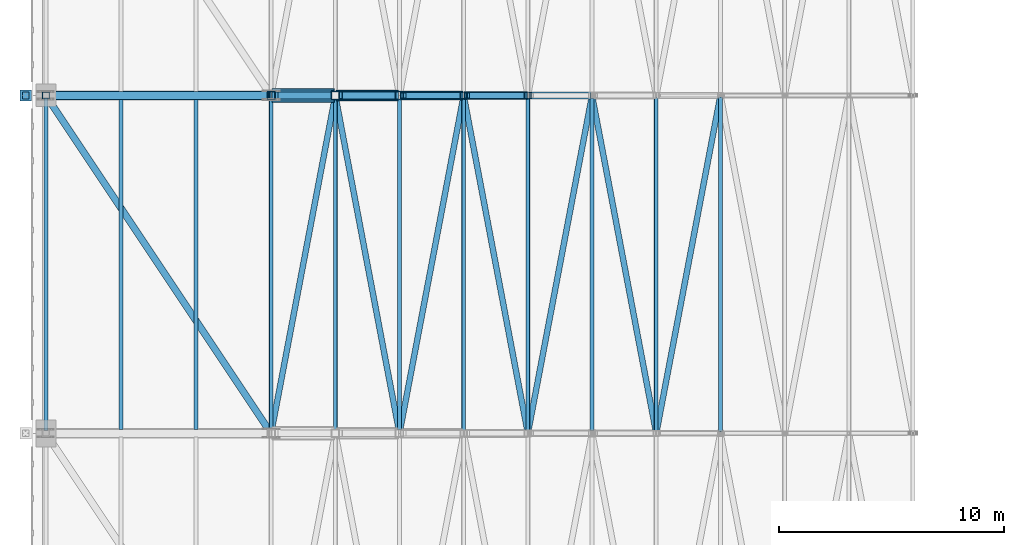
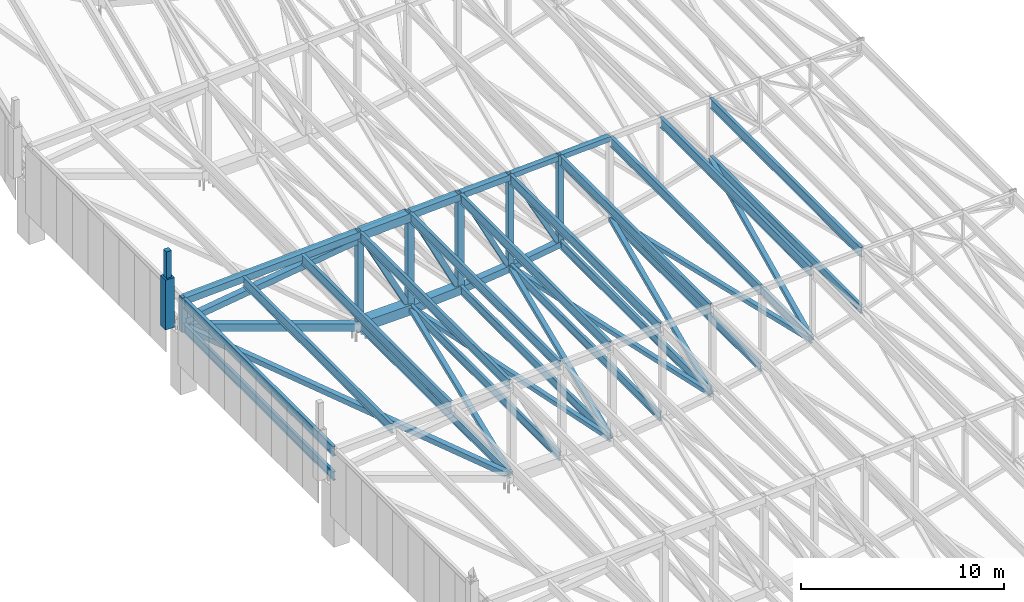
# One storey, part 62 of 278: 35 members, 17 beams.
"""IFC4 building model written with IfcOpenShell, lengths in metres."""

from ifc_helpers import new_model, si_unit, direction, frame, origin, origin_2d, place, context, subcontext, project, spatial, rectangle, hollow_rectangle, i_section, extrude, material, material_profile, profile_set, type_object, element, save


model = new_model("IFC4")

# Units and contexts
model_context = context("Model", 3, precision=1e-05, world=origin(), true_north=direction((0.0, 1.0)))
body_context = subcontext(model_context, "Body", "Model", "MODEL_VIEW")
ifc_project = project(units=[si_unit("LENGTHUNIT", "METRE"), si_unit("AREAUNIT", "SQUARE_METRE"), si_unit("VOLUMEUNIT", "CUBIC_METRE"), si_unit("PLANEANGLEUNIT", "RADIAN"), si_unit("MASSUNIT", "GRAM", prefix="KILO")], contexts=[model_context])

# Site, building, storey
site_placement = place(None, origin())
site = spatial("IfcSite", under=ifc_project, at=site_placement, CompositionType="ELEMENT")
building_placement = place(site_placement, origin())
building = spatial("IfcBuilding", under=site, at=building_placement, Name="Ogive Plaza Stadium", CompositionType="ELEMENT")
storey_placement = place(building_placement, frame((0.0, 0.0, 29.0)))
storey = spatial("IfcBuildingStorey", under=building, at=storey_placement, Name="Roof", CompositionType="ELEMENT", Elevation=29.0)

# Members
ifc_material_1 = material(Name="Concrete C45/55 precast", Category="concrete")
ifc_material_profile_1 = material_profile(ifc_material_1, rectangle(XDim=0.5, YDim=0.5, at=origin_2d()), Name="RC 500x500")
ifc_profile_set_1 = profile_set([ifc_material_profile_1], Name="Concrete C45/55 precast")
member_type_1 = type_object("IfcMemberType", Name="Precast pinnacle 500x500", PredefinedType="POST", material=ifc_profile_set_1)
member_1_placement = place(storey_placement, frame((-84.89990234375, 37.5, 4.0), z_axis=(0.0, 0.0, 1.0), x_axis=(0.0, -1.0, 0.0)))
element("IfcMember", 1, at=member_1_placement, inside=storey, type_object=member_type_1, Name="PINNACLE R27", PredefinedType="POST", context=body_context, shape_type="SweptSolid", body=[
    extrude(rectangle(XDim=0.5, YDim=0.5, at=origin_2d()), origin(), (0.0, 0.0, 1.0), 3.0),
])
ifc_material_2 = material(Name="Concrete C45/55 precast", Category="concrete")
ifc_material_profile_2 = material_profile(ifc_material_2, rectangle(XDim=0.300048828125, YDim=0.300048828125, at=origin_2d()), Name="RC 300x300")
ifc_profile_set_2 = profile_set([ifc_material_profile_2], Name="Concrete C45/55 precast")
member_type_2 = type_object("IfcMemberType", Name="Precast spire 300x300", PredefinedType="MEMBER", material=ifc_profile_set_2)
member_2_placement = place(storey_placement, frame((-84.89990234375, 37.5, 7.0), z_axis=(0.0, 0.0, 1.0), x_axis=(0.0, -1.0, 0.0)))
element("IfcMember", 2, at=member_2_placement, inside=storey, type_object=member_type_2, Name="SPIRE R27", PredefinedType="MEMBER", context=body_context, shape_type="SweptSolid", body=[
    extrude(rectangle(XDim=0.300048828125, YDim=0.300048828125, at=origin_2d()), origin(), (0.0, 0.0, 1.0), 1.60009765625),
])
ifc_material_3 = material(Name="Steel ASTM A500 Grade C", Category="steel")
ifc_material_profile_3 = material_profile(ifc_material_3, hollow_rectangle(XDim=0.25390625, YDim=0.25390625, WallThickness=0.0087890625, at=origin_2d()), Name="HSS10X10X3/8")
ifc_profile_set_3 = profile_set([ifc_material_profile_3], Name="Steel ASTM A500 Grade C")
member_type_3 = type_object("IfcMemberType", Name="Roof plan brace HSS10X10X3/8", PredefinedType="BRACE", material=ifc_profile_set_3)
member_3_placement = place(storey_placement, frame((-54.068115234375, 37.404052734375, 3.27001953125), z_axis=(-0.186406461707, -0.981044003163, -0.052965034622), x_axis=(0.982422964001, -0.186668475654, 0.0)))
element("IfcMember", 3, at=member_3_placement, inside=storey, type_object=member_type_3, Name="ROOF BRACE B26 4", PredefinedType="BRACE", context=body_context, shape_type="SweptSolid", body=[
    extrude(hollow_rectangle(XDim=0.25390625, YDim=0.25390625, WallThickness=0.0087890625, at=origin_2d()), origin(), (0.0, 0.0, 1.0), 15.068359375),
])
member_4_placement = place(storey_placement, frame((-56.923095703125, 22.621337890625, 2.459716796875), z_axis=(-0.186461324063, 0.981373677857, -0.046237204039), x_axis=(-0.982424391989, -0.186660960097, 0.0)))
element("IfcMember", 4, at=member_4_placement, inside=storey, type_object=member_type_3, Name="ROOF BRACE B26 5", PredefinedType="BRACE", context=body_context, shape_type="SweptSolid", body=[
    extrude(hollow_rectangle(XDim=0.25390625, YDim=0.25390625, WallThickness=0.0087890625, at=origin_2d()), origin(), (0.0, 0.0, 1.0), 15.011474609375),
])
member_5_placement = place(storey_placement, frame((-59.77783203125, 37.353271484375, 1.753173828125), z_axis=(-0.186534960176, -0.981781820104, -0.036182403809), x_axis=(0.982425109661, -0.186657182843, 0.0)))
element("IfcMember", 5, at=member_5_placement, inside=storey, type_object=member_type_3, Name="ROOF BRACE B26 6", PredefinedType="BRACE", context=body_context, shape_type="SweptSolid", body=[
    extrude(hollow_rectangle(XDim=0.25390625, YDim=0.25390625, WallThickness=0.0087890625, at=origin_2d()), origin(), (0.0, 0.0, 1.0), 14.9794921875),
])
member_6_placement = place(storey_placement, frame((-62.6279296875, 22.646728515625, 1.20166015625), z_axis=(-0.186585145076, 0.982045956233, -0.027779911508), x_axis=(-0.982425109661, -0.186657182843, 0.0)))
element("IfcMember", 6, at=member_6_placement, inside=storey, type_object=member_type_3, Name="ROOF BRACE B26 7", PredefinedType="BRACE", context=body_context, shape_type="SweptSolid", body=[
    extrude(hollow_rectangle(XDim=0.25390625, YDim=0.25390625, WallThickness=0.0087890625, at=origin_2d()), origin(), (0.0, 0.0, 1.0), 14.975341796875),
])
member_7_placement = place(storey_placement, frame((-65.477783203125, 37.353271484375, 0.77880859375), z_axis=(-0.186639895054, -0.982268812283, -0.017706778071), x_axis=(0.982422833867, -0.186669160538, 0.0)))
element("IfcMember", 7, at=member_7_placement, inside=storey, type_object=member_type_3, Name="ROOF BRACE B26 8", PredefinedType="BRACE", context=body_context, shape_type="SweptSolid", body=[
    extrude(hollow_rectangle(XDim=0.25390625, YDim=0.25390625, WallThickness=0.0087890625, at=origin_2d()), origin(), (0.0, 0.0, 1.0), 14.946044921875),
])
member_8_placement = place(storey_placement, frame((-68.332763671875, 22.672119140625, 0.50927734375), z_axis=(-0.186657320186, 0.982381109131, -0.009295226886), x_axis=(-0.982423551356, -0.186665384421, 0.0)))
element("IfcMember", 8, at=member_8_placement, inside=storey, type_object=member_type_3, Name="ROOF BRACE B26 9", PredefinedType="BRACE", context=body_context, shape_type="SweptSolid", body=[
    extrude(hollow_rectangle(XDim=0.25390625, YDim=0.25390625, WallThickness=0.0087890625, at=origin_2d()), origin(), (0.0, 0.0, 1.0), 14.918701171875),
])
member_9_placement = place(storey_placement, frame((-71.1826171875, 37.327880859375, 0.368408203125), z_axis=(-0.186663720517, -0.982414794197, -0.004222272479), x_axis=(0.982423551356, -0.186665384421, 0.0)))
element("IfcMember", 9, at=member_9_placement, inside=storey, type_object=member_type_3, Name="ROOF BRACE B26 10", PredefinedType="BRACE", context=body_context, shape_type="SweptSolid", body=[
    extrude(hollow_rectangle(XDim=0.25390625, YDim=0.25390625, WallThickness=0.0087890625, at=origin_2d()), origin(), (0.0, 0.0, 1.0), 14.918212890625),
])
ifc_material_4 = material(Name="Steel ASTM A500 Grade C", Category="steel")
ifc_material_profile_4 = material_profile(ifc_material_4, hollow_rectangle(XDim=0.3046875, YDim=0.3046875, WallThickness=0.0087890625, at=origin_2d()), Name="HSS12X12X3/8")
ifc_profile_set_4 = profile_set([ifc_material_profile_4], Name="Steel ASTM A500 Grade C")
member_type_4 = type_object("IfcMemberType", Name="Roof plan brace HSS12X12X3/8", PredefinedType="BRACE", material=ifc_profile_set_4)
member_10_placement = place(storey_placement, frame((-74.158203125, 22.7373046875, 0.358642578125), z_axis=(-0.545096233751, 0.817651210116, 0.185247387419), x_axis=(-0.832052442118, -0.554696974542, 0.0)))
element("IfcMember", 10, at=member_10_placement, inside=storey, type_object=member_type_4, Name="ROOF BRACE B26 11", PredefinedType="BRACE", context=body_context, shape_type="SweptSolid", body=[
    extrude(hollow_rectangle(XDim=0.3046875, YDim=0.3046875, WallThickness=0.0087890625, at=origin_2d()), origin(), (0.0, 0.0, 1.0), 17.7958984375),
])
ifc_material_5 = material(Name="Steel ASTM A992 Grade 50", Category="steel")
ifc_material_profile_5 = material_profile(ifc_material_5, i_section(OverallWidth=0.1650390625, OverallDepth=0.524658203125, WebThickness=0.0087890625, FlangeThickness=0.011474609375, at=origin_2d()), Name="W21X44")
ifc_profile_set_5 = profile_set([ifc_material_profile_5], Name="Steel ASTM A992 Grade 50")
member_type_5 = type_object("IfcMemberType", Name="Roof plan strut W21X44", PredefinedType="STRUT", material=ifc_profile_set_5)
member_11_placement = place(storey_placement, frame((-54.050048828125, 22.571533203125, 3.275146484375), z_axis=(0.0, 1.0, 0.0), x_axis=(-1.0, 0.0, 0.0)))
element("IfcMember", 11, at=member_11_placement, inside=storey, type_object=member_type_5, Name="ROOF STRUT B26 3", PredefinedType="STRUT", context=body_context, shape_type="SweptSolid", body=[
    extrude(i_section(OverallWidth=0.1650390625, OverallDepth=0.524658203125, WebThickness=0.0087890625, FlangeThickness=0.011474609375, at=origin_2d()), origin(), (0.0, 0.0, 1.0), 14.85693359375),
])
member_12_placement = place(storey_placement, frame((-56.89990234375, 22.596923828125, 2.46533203125), z_axis=(0.0, 1.0, 0.0), x_axis=(-1.0, 0.0, 0.0)))
element("IfcMember", 12, at=member_12_placement, inside=storey, type_object=member_type_5, Name="ROOF STRUT B26 4", PredefinedType="STRUT", context=body_context, shape_type="SweptSolid", body=[
    extrude(i_section(OverallWidth=0.1650390625, OverallDepth=0.524658203125, WebThickness=0.0087890625, FlangeThickness=0.011474609375, at=origin_2d()), origin(), (0.0, 0.0, 1.0), 14.80615234375),
])
for number, where, z_axis, x_axis, name in (
    (13, (-59.75, 22.622314453125, 1.758544921875), (0.0, 1.0, 0.0), (-1.0, 0.0, 0.0), "ROOF STRUT B26 5"),
    (14, (-62.60009765625, 22.622314453125, 1.205810546875), (0.0, 1.0, 0.0), (-1.0, 0.0, 0.0), "ROOF STRUT B26 6"),
    (15, (-65.449951171875, 22.622314453125, 0.781494140625), (0.0, 1.0, 0.0), (-1.0, 0.0, 0.0), "ROOF STRUT B26 7"),
):
    element("IfcMember", number, at=place(storey_placement, frame(where, z_axis=z_axis, x_axis=x_axis)), inside=storey, type_object=member_type_5, Name=name, PredefinedType="STRUT", context=body_context, shape_type="SweptSolid", body=[
        extrude(i_section(OverallWidth=0.1650390625, OverallDepth=0.524658203125, WebThickness=0.0087890625, FlangeThickness=0.011474609375, at=origin_2d()), origin(), (0.0, 0.0, 1.0), 14.75537109375),
    ])
for number, where, z_axis, x_axis, name in (
    (16, (-68.300048828125, 22.647705078125, 0.510986328125), (0.0, 1.0, 0.0), (-1.0, 0.0, 0.0), "ROOF STRUT B26 8"),
    (17, (-71.14990234375, 22.647705078125, 0.369140625), (0.0, 1.0, 0.0), (-1.0, 0.0, 0.0), "ROOF STRUT B26 9"),
    (18, (-74.0, 22.647705078125, 0.3046875), (0.0, 1.0, 0.0), (-1.0, 0.0, 0.0), "ROOF STRUT B26 10"),
):
    element("IfcMember", number, at=place(storey_placement, frame(where, z_axis=z_axis, x_axis=x_axis)), inside=storey, type_object=member_type_5, Name=name, PredefinedType="STRUT", context=body_context, shape_type="SweptSolid", body=[
        extrude(i_section(OverallWidth=0.1650390625, OverallDepth=0.524658203125, WebThickness=0.0087890625, FlangeThickness=0.011474609375, at=origin_2d()), origin(), (0.0, 0.0, 1.0), 14.70458984375),
    ])
member_13_placement = place(storey_placement, frame((-84.0, 22.622314453125, 3.703125), z_axis=(0.0, 1.0, 0.0), x_axis=(-1.0, 0.0, 0.0)))
element("IfcMember", 19, at=member_13_placement, inside=storey, type_object=member_type_5, Name="ROOF STRUT B26 11", PredefinedType="STRUT", context=body_context, shape_type="SweptSolid", body=[
    extrude(i_section(OverallWidth=0.1650390625, OverallDepth=0.524658203125, WebThickness=0.0087890625, FlangeThickness=0.011474609375, at=origin_2d()), origin(), (0.0, 0.0, 1.0), 14.75537109375),
])
ifc_material_6 = material(Name="Steel ASTM A992 Grade 50", Category="steel")
ifc_material_profile_6 = material_profile(ifc_material_6, i_section(OverallWidth=0.177978515625, OverallDepth=0.5986328125, WebThickness=0.010009765625, FlangeThickness=0.012939453125, at=origin_2d()), Name="W24X55")
ifc_profile_set_6 = profile_set([ifc_material_profile_6], Name="Steel ASTM A992 Grade 50")
member_type_6 = type_object("IfcMemberType", Name="Roof purlin W24X55", PredefinedType="PURLIN", material=ifc_profile_set_6)
member_14_placement = place(storey_placement, frame((-54.050048828125, 22.571533203125, 6.6982421875), z_axis=(0.0, 1.0, 0.0), x_axis=(-1.0, 0.0, 0.0)))
element("IfcMember", 20, at=member_14_placement, inside=storey, type_object=member_type_6, Name="ROOF PURLIN B26 3", PredefinedType="PURLIN", context=body_context, shape_type="SweptSolid", body=[
    extrude(i_section(OverallWidth=0.177978515625, OverallDepth=0.5986328125, WebThickness=0.010009765625, FlangeThickness=0.012939453125, at=origin_2d()), origin(), (0.0, 0.0, 1.0), 14.85693359375),
])
member_15_placement = place(storey_placement, frame((-56.89990234375, 22.596923828125, 6.5556640625), z_axis=(0.0, 1.0, 0.0), x_axis=(-1.0, 0.0, 0.0)))
element("IfcMember", 21, at=member_15_placement, inside=storey, type_object=member_type_6, Name="ROOF PURLIN B26 4", PredefinedType="PURLIN", context=body_context, shape_type="SweptSolid", body=[
    extrude(i_section(OverallWidth=0.177978515625, OverallDepth=0.5986328125, WebThickness=0.010009765625, FlangeThickness=0.012939453125, at=origin_2d()), origin(), (0.0, 0.0, 1.0), 14.80615234375),
])
for number, where, z_axis, x_axis, name in (
    (22, (-59.75, 22.622314453125, 6.4130859375), (0.0, 1.0, 0.0), (-1.0, 0.0, 0.0), "ROOF PURLIN B26 5"),
    (23, (-62.60009765625, 22.622314453125, 6.270751953125), (0.0, 1.0, 0.0), (-1.0, 0.0, 0.0), "ROOF PURLIN B26 6"),
    (24, (-65.449951171875, 22.622314453125, 6.128173828125), (0.0, 1.0, 0.0), (-1.0, 0.0, 0.0), "ROOF PURLIN B26 7"),
):
    element("IfcMember", number, at=place(storey_placement, frame(where, z_axis=z_axis, x_axis=x_axis)), inside=storey, type_object=member_type_6, Name=name, PredefinedType="PURLIN", context=body_context, shape_type="SweptSolid", body=[
        extrude(i_section(OverallWidth=0.177978515625, OverallDepth=0.5986328125, WebThickness=0.010009765625, FlangeThickness=0.012939453125, at=origin_2d()), origin(), (0.0, 0.0, 1.0), 14.75537109375),
    ])
for number, where, z_axis, x_axis, name in (
    (25, (-68.300048828125, 22.647705078125, 5.985595703125), (0.0, 1.0, 0.0), (-1.0, 0.0, 0.0), "ROOF PURLIN B26 8"),
    (26, (-71.14990234375, 22.647705078125, 5.84326171875), (0.0, 1.0, 0.0), (-1.0, 0.0, 0.0), "ROOF PURLIN B26 9"),
    (27, (-74.0, 22.647705078125, 5.70068359375), (0.0, 1.0, 0.0), (-1.0, 0.0, 0.0), "ROOF PURLIN B26 10"),
):
    element("IfcMember", number, at=place(storey_placement, frame(where, z_axis=z_axis, x_axis=x_axis)), inside=storey, type_object=member_type_6, Name=name, PredefinedType="PURLIN", context=body_context, shape_type="SweptSolid", body=[
        extrude(i_section(OverallWidth=0.177978515625, OverallDepth=0.5986328125, WebThickness=0.010009765625, FlangeThickness=0.012939453125, at=origin_2d()), origin(), (0.0, 0.0, 1.0), 14.70458984375),
    ])
for number, where, z_axis, x_axis, name in (
    (28, (-77.333251953125, 22.673095703125, 5.533935546875), (0.0, 1.0, 0.0), (-1.0, 0.0, 0.0), "ROOF PURLIN B26 11"),
    (29, (-80.666748046875, 22.673095703125, 5.367431640625), (0.0, 1.0, 0.0), (-1.0, 0.0, 0.0), "ROOF PURLIN B26 12"),
):
    element("IfcMember", number, at=place(storey_placement, frame(where, z_axis=z_axis, x_axis=x_axis)), inside=storey, type_object=member_type_6, Name=name, PredefinedType="PURLIN", context=body_context, shape_type="SweptSolid", body=[
        extrude(i_section(OverallWidth=0.177978515625, OverallDepth=0.5986328125, WebThickness=0.010009765625, FlangeThickness=0.012939453125, at=origin_2d()), origin(), (0.0, 0.0, 1.0), 14.65380859375),
    ])
member_16_placement = place(storey_placement, frame((-84.0, 22.622314453125, 5.20068359375), z_axis=(0.0, 1.0, 0.0), x_axis=(-1.0, 0.0, 0.0)))
element("IfcMember", 30, at=member_16_placement, inside=storey, type_object=member_type_6, Name="ROOF PURLIN B26 13", PredefinedType="PURLIN", context=body_context, shape_type="SweptSolid", body=[
    extrude(i_section(OverallWidth=0.177978515625, OverallDepth=0.5986328125, WebThickness=0.010009765625, FlangeThickness=0.012939453125, at=origin_2d()), origin(), (0.0, 0.0, 1.0), 14.75537109375),
])

# Beams
ifc_material_7 = material(Name="Steel ASTM A500 Grade C", Category="steel")
ifc_material_profile_7 = material_profile(ifc_material_7, hollow_rectangle(XDim=0.406494140625, YDim=0.406494140625, WallThickness=0.0146484375, at=origin_2d()), Name="HSS16X16X5/8")
ifc_profile_set_7 = profile_set([ifc_material_profile_7], Name="Steel ASTM A500 Grade C")
beam_type_1 = type_object("IfcBeamType", Name="Roof truss back-span bottom chord HSS16X16X5/8", PredefinedType="BEAM", material=ifc_profile_set_7)
beam_1_placement = place(storey_placement, frame((-74.050048828125, 37.5, 0.232666015625), z_axis=(-0.943851085966, 0.0, 0.330371196567), x_axis=(0.0, -1.0, 0.0)))
element("IfcBeam", 31, at=beam_1_placement, inside=storey, type_object=beam_type_1, Name="ROOF TRUSS T27 BOTTOM CHORD 11", PredefinedType="BEAM", context=body_context, shape_type="SweptSolid", body=[
    extrude(hollow_rectangle(XDim=0.406494140625, YDim=0.406494140625, WallThickness=0.0146484375, at=origin_2d()), origin(), (0.0, 0.0, 1.0), 10.470703125),
])
ifc_material_8 = material(Name="Steel ASTM A500 Grade C", Category="steel")
ifc_material_profile_8 = material_profile(ifc_material_8, hollow_rectangle(XDim=0.406494140625, YDim=0.406494140625, WallThickness=0.0146484375, at=origin_2d()), Name="HSS16X16X5/8")
ifc_profile_set_8 = profile_set([ifc_material_profile_8], Name="Steel ASTM A500 Grade C")
beam_type_2 = type_object("IfcBeamType", Name="Roof truss back-span top chord HSS16X16X5/8", PredefinedType="BEAM", material=ifc_profile_set_8)
beam_2_placement = place(storey_placement, frame((-74.050048828125, 37.5, 5.7939453125), z_axis=(-0.998752953021, 0.0, -0.049925332571), x_axis=(0.0, -1.0, 0.0)))
element("IfcBeam", 32, at=beam_2_placement, inside=storey, type_object=beam_type_2, Name="ROOF TRUSS T27 TOP CHORD 11", PredefinedType="BEAM", context=body_context, shape_type="SweptSolid", body=[
    extrude(hollow_rectangle(XDim=0.406494140625, YDim=0.406494140625, WallThickness=0.0146484375, at=origin_2d()), origin(), (0.0, 0.0, 1.0), 9.912353515625),
])

# Member
ifc_material_9 = material(Name="Steel ASTM A500 Grade C", Category="steel")
ifc_material_profile_9 = material_profile(ifc_material_9, hollow_rectangle(XDim=0.355712890625, YDim=0.355712890625, WallThickness=0.0146484375, at=origin_2d()), Name="HSS14X14X5/8")
ifc_profile_set_9 = profile_set([ifc_material_profile_9], Name="Steel ASTM A500 Grade C")
member_type_7 = type_object("IfcMemberType", Name="Roof truss back-stay HSS14X14X5/8", PredefinedType="BRACE", material=ifc_profile_set_9)
member_17_placement = place(storey_placement, frame((-74.093017578125, 37.5, 5.45654296875), z_axis=(-0.989844100519, 0.0, -0.142157154826), x_axis=(0.0, -1.0, 0.0)))
element("IfcMember", 33, at=member_17_placement, inside=storey, type_object=member_type_7, Name="BACK-STAY T27", PredefinedType="BRACE", context=body_context, shape_type="SweptSolid", body=[
    extrude(hollow_rectangle(XDim=0.355712890625, YDim=0.355712890625, WallThickness=0.0146484375, at=origin_2d()), origin(), (0.0, 0.0, 1.0), 9.9404296875),
])

# Beams
ifc_material_10 = material(Name="Steel ASTM A500 Grade C", Category="steel")
ifc_material_profile_10 = material_profile(ifc_material_10, hollow_rectangle(XDim=0.355712890625, YDim=0.355712890625, WallThickness=0.0146484375, at=origin_2d()), Name="HSS14X14X5/8")
ifc_profile_set_10 = profile_set([ifc_material_profile_10], Name="Steel ASTM A500 Grade C")
beam_type_3 = type_object("IfcBeamType", Name="Roof truss bottom chord HSS14X14X5/8", PredefinedType="BEAM", material=ifc_profile_set_10)
beam_3_placement = place(storey_placement, frame((-62.64990234375, 37.5, 1.2001953125), z_axis=(-0.987770074518, 0.0, -0.155917541947), x_axis=(0.0, -1.0, 0.0)))
element("IfcBeam", 34, at=beam_3_placement, inside=storey, type_object=beam_type_3, Name="ROOF TRUSS T27 BOTTOM CHORD 7", PredefinedType="BEAM", context=body_context, shape_type="SweptSolid", body=[
    extrude(hollow_rectangle(XDim=0.355712890625, YDim=0.355712890625, WallThickness=0.0146484375, at=origin_2d()), origin(), (0.0, 0.0, 1.0), 2.783935546875),
])
ifc_material_11 = material(Name="Steel ASTM A500 Grade C", Category="steel")
ifc_material_profile_11 = material_profile(ifc_material_11, hollow_rectangle(XDim=0.406494140625, YDim=0.406494140625, WallThickness=0.0146484375, at=origin_2d()), Name="HSS16X16X5/8")
ifc_profile_set_11 = profile_set([ifc_material_profile_11], Name="Steel ASTM A500 Grade C")
beam_type_4 = type_object("IfcBeamType", Name="Roof truss bottom chord HSS16X16X5/8", PredefinedType="BEAM", material=ifc_profile_set_11)
beam_4_placement = place(storey_placement, frame((-65.5, 37.5, 0.777099609375), z_axis=(-0.993703844406, 0.0, -0.112038696946), x_axis=(0.0, -1.0, 0.0)))
element("IfcBeam", 35, at=beam_4_placement, inside=storey, type_object=beam_type_4, Name="ROOF TRUSS T27 BOTTOM CHORD 8", PredefinedType="BEAM", context=body_context, shape_type="SweptSolid", body=[
    extrude(hollow_rectangle(XDim=0.406494140625, YDim=0.406494140625, WallThickness=0.0146484375, at=origin_2d()), origin(), (0.0, 0.0, 1.0), 2.767333984375),
])
ifc_material_12 = material(Name="Steel ASTM A500 Grade C", Category="steel")
ifc_material_profile_12 = material_profile(ifc_material_12, hollow_rectangle(XDim=0.508056640625, YDim=0.508056640625, WallThickness=0.0146484375, at=origin_2d()), Name="HSS20X20X5/8")
ifc_profile_set_12 = profile_set([ifc_material_profile_12], Name="Steel ASTM A500 Grade C")
beam_type_5 = type_object("IfcBeamType", Name="Roof truss bottom chord HSS20X20X5/8", PredefinedType="BEAM", material=ifc_profile_set_12)
beam_5_placement = place(storey_placement, frame((-68.35009765625, 37.5, 0.50830078125), z_axis=(-0.997719620387, 0.0, -0.06749488199), x_axis=(0.0, -1.0, 0.0)))
element("IfcBeam", 36, at=beam_5_placement, inside=storey, type_object=beam_type_5, Name="ROOF TRUSS T27 BOTTOM CHORD 9", PredefinedType="BEAM", context=body_context, shape_type="SweptSolid", body=[
    extrude(hollow_rectangle(XDim=0.508056640625, YDim=0.508056640625, WallThickness=0.0146484375, at=origin_2d()), origin(), (0.0, 0.0, 1.0), 2.75634765625),
])
ifc_material_13 = material(Name="Steel ASTM A500 Grade C", Category="steel")
ifc_material_profile_13 = material_profile(ifc_material_13, hollow_rectangle(XDim=0.609619140625, YDim=0.609619140625, WallThickness=0.0146484375, at=origin_2d()), Name="HSS24X24X5/8")
ifc_profile_set_13 = profile_set([ifc_material_profile_13], Name="Steel ASTM A500 Grade C")
beam_type_6 = type_object("IfcBeamType", Name="Roof truss bottom chord HSS24X24X5/8", PredefinedType="BEAM", material=ifc_profile_set_13)
beam_6_placement = place(storey_placement, frame((-71.199951171875, 37.5, 0.367919921875), z_axis=(-0.999745852076, 0.0, -0.022543984946), x_axis=(0.0, -1.0, 0.0)))
element("IfcBeam", 37, at=beam_6_placement, inside=storey, type_object=beam_type_6, Name="ROOF TRUSS T27 BOTTOM CHORD 10", PredefinedType="BEAM", context=body_context, shape_type="SweptSolid", body=[
    extrude(hollow_rectangle(XDim=0.609619140625, YDim=0.609619140625, WallThickness=0.0146484375, at=origin_2d()), origin(), (0.0, 0.0, 1.0), 2.750732421875),
])

# Members
ifc_material_14 = material(Name="Steel ASTM A500 Grade C", Category="steel")
ifc_material_profile_14 = material_profile(ifc_material_14, hollow_rectangle(XDim=0.25390625, YDim=0.25390625, WallThickness=0.0087890625, at=origin_2d()), Name="HSS10X10X3/8")
ifc_profile_set_14 = profile_set([ifc_material_profile_14], Name="Steel ASTM A500 Grade C")
member_type_8 = type_object("IfcMemberType", Name="Roof truss diagonal HSS10X10X3/8", PredefinedType="BRACE", material=ifc_profile_set_14)
member_18_placement = place(storey_placement, frame((-62.75244140625, 37.5, 1.383544921875), z_axis=(-0.473127942579, 0.0, 0.880993728667), x_axis=(0.0, -1.0, 0.0)))
element("IfcMember", 38, at=member_18_placement, inside=storey, type_object=member_type_8, Name="ROOF TRUSS T27 DIAGONAL 7", PredefinedType="BRACE", context=body_context, shape_type="SweptSolid", body=[
    extrude(hollow_rectangle(XDim=0.25390625, YDim=0.25390625, WallThickness=0.0087890625, at=origin_2d()), origin(), (0.0, 0.0, 1.0), 5.37939453125),
])
member_19_placement = place(storey_placement, frame((-65.602294921875, 37.5, 0.984619140625), z_axis=(-0.454062843231, 0.0, 0.890969659639), x_axis=(0.0, -1.0, 0.0)))
element("IfcMember", 39, at=member_19_placement, inside=storey, type_object=member_type_8, Name="ROOF TRUSS T27 DIAGONAL 8", PredefinedType="BRACE", context=body_context, shape_type="SweptSolid", body=[
    extrude(hollow_rectangle(XDim=0.25390625, YDim=0.25390625, WallThickness=0.0087890625, at=origin_2d()), origin(), (0.0, 0.0, 1.0), 5.550048828125),
])
ifc_material_15 = material(Name="Steel ASTM A500 Grade C", Category="steel")
ifc_material_profile_15 = material_profile(ifc_material_15, hollow_rectangle(XDim=0.3046875, YDim=0.3046875, WallThickness=0.0087890625, at=origin_2d()), Name="HSS12X12X3/8")
ifc_profile_set_15 = profile_set([ifc_material_profile_15], Name="Steel ASTM A500 Grade C")
member_type_9 = type_object("IfcMemberType", Name="Roof truss diagonal HSS12X12X3/8", PredefinedType="BRACE", material=ifc_profile_set_15)
member_20_placement = place(storey_placement, frame((-68.477783203125, 37.5, 0.764892578125), z_axis=(-0.448477330766, 0.0, 0.893794206621), x_axis=(0.0, -1.0, 0.0)))
element("IfcMember", 40, at=member_20_placement, inside=storey, type_object=member_type_9, Name="ROOF TRUSS T27 DIAGONAL 9", PredefinedType="BRACE", context=body_context, shape_type="SweptSolid", body=[
    extrude(hollow_rectangle(XDim=0.3046875, YDim=0.3046875, WallThickness=0.0087890625, at=origin_2d()), origin(), (0.0, 0.0, 1.0), 5.56201171875),
])
member_21_placement = place(storey_placement, frame((-71.327880859375, 37.5, 0.673828125), z_axis=(-0.459750963822, 0.0, 0.888047887934), x_axis=(0.0, -1.0, 0.0)))
element("IfcMember", 41, at=member_21_placement, inside=storey, type_object=member_type_9, Name="ROOF TRUSS T27 DIAGONAL 10", PredefinedType="BRACE", context=body_context, shape_type="SweptSolid", body=[
    extrude(hollow_rectangle(XDim=0.3046875, YDim=0.3046875, WallThickness=0.0087890625, at=origin_2d()), origin(), (0.0, 0.0, 1.0), 5.425537109375),
])

# Beams
ifc_material_16 = material(Name="Steel ASTM A500 Grade C", Category="steel")
ifc_material_profile_16 = material_profile(ifc_material_16, hollow_rectangle(XDim=0.3046875, YDim=0.3046875, WallThickness=0.01171875, at=origin_2d()), Name="HSS12X12X1/2")
ifc_profile_set_16 = profile_set([ifc_material_profile_16], Name="Steel ASTM A500 Grade C")
beam_type_7 = type_object("IfcBeamType", Name="Roof truss post HSS12X12X1/2", PredefinedType="BEAM", material=ifc_profile_set_16)
beam_7_placement = place(storey_placement, frame((-84.0, 37.5, 3.43994140625), z_axis=(0.0, 0.0, 1.0), x_axis=(0.0, -1.0, 0.0)))
element("IfcBeam", 42, at=beam_7_placement, inside=storey, type_object=beam_type_7, Name="ROOF TRUSS T27 POST 12", PredefinedType="BEAM", context=body_context, shape_type="SweptSolid", body=[
    extrude(hollow_rectangle(XDim=0.3046875, YDim=0.3046875, WallThickness=0.01171875, at=origin_2d()), origin(), (0.0, 0.0, 1.0), 2.06005859375),
])
ifc_material_17 = material(Name="Steel ASTM A500 Grade C", Category="steel")
ifc_material_profile_17 = material_profile(ifc_material_17, hollow_rectangle(XDim=0.3046875, YDim=0.3046875, WallThickness=0.0146484375, at=origin_2d()), Name="HSS12X12X5/8")
ifc_profile_set_17 = profile_set([ifc_material_profile_17], Name="Steel ASTM A500 Grade C")
beam_type_8 = type_object("IfcBeamType", Name="Roof truss post HSS12X12X5/8", PredefinedType="BEAM", material=ifc_profile_set_17)
beam_8_placement = place(storey_placement, frame((-62.60009765625, 37.5, 1.028076171875), z_axis=(0.0, 0.0, 1.0), x_axis=(0.0, -1.0, 0.0)))
element("IfcBeam", 43, at=beam_8_placement, inside=storey, type_object=beam_type_8, Name="ROOF TRUSS T27 POST 7", PredefinedType="BEAM", context=body_context, shape_type="SweptSolid", body=[
    extrude(hollow_rectangle(XDim=0.3046875, YDim=0.3046875, WallThickness=0.0146484375, at=origin_2d()), origin(), (0.0, 0.0, 1.0), 5.5419921875),
])
beam_9_placement = place(storey_placement, frame((-65.449951171875, 37.5, 0.578369140625), z_axis=(0.0, 0.0, 1.0), x_axis=(0.0, -1.0, 0.0)))
element("IfcBeam", 44, at=beam_9_placement, inside=storey, type_object=beam_type_8, Name="ROOF TRUSS T27 POST 8", PredefinedType="BEAM", context=body_context, shape_type="SweptSolid", body=[
    extrude(hollow_rectangle(XDim=0.3046875, YDim=0.3046875, WallThickness=0.0146484375, at=origin_2d()), origin(), (0.0, 0.0, 1.0), 5.84912109375),
])
ifc_material_18 = material(Name="Steel ASTM A500 Grade C", Category="steel")
ifc_material_profile_18 = material_profile(ifc_material_18, hollow_rectangle(XDim=0.355712890625, YDim=0.355712890625, WallThickness=0.0146484375, at=origin_2d()), Name="HSS14X14X5/8")
ifc_profile_set_18 = profile_set([ifc_material_profile_18], Name="Steel ASTM A500 Grade C")
beam_type_9 = type_object("IfcBeamType", Name="Roof truss post HSS14X14X5/8", PredefinedType="BEAM", material=ifc_profile_set_18)
beam_10_placement = place(storey_placement, frame((-68.300048828125, 37.5, 0.257080078125), z_axis=(0.0, 0.0, 1.0), x_axis=(0.0, -1.0, 0.0)))
element("IfcBeam", 45, at=beam_10_placement, inside=storey, type_object=beam_type_9, Name="ROOF TRUSS T27 POST 9", PredefinedType="BEAM", context=body_context, shape_type="SweptSolid", body=[
    extrude(hollow_rectangle(XDim=0.355712890625, YDim=0.355712890625, WallThickness=0.0146484375, at=origin_2d()), origin(), (0.0, 0.0, 1.0), 6.02783203125),
])
beam_11_placement = place(storey_placement, frame((-71.14990234375, 37.5, 0.064208984375), z_axis=(0.0, 0.0, 1.0), x_axis=(0.0, -1.0, 0.0)))
element("IfcBeam", 46, at=beam_11_placement, inside=storey, type_object=beam_type_9, Name="ROOF TRUSS T27 POST 10", PredefinedType="BEAM", context=body_context, shape_type="SweptSolid", body=[
    extrude(hollow_rectangle(XDim=0.355712890625, YDim=0.355712890625, WallThickness=0.0146484375, at=origin_2d()), origin(), (0.0, 0.0, 1.0), 6.078369140625),
])
beam_12_placement = place(storey_placement, frame((-74.0, 37.5, -0.06005859375), z_axis=(0.0, 0.0, 1.0), x_axis=(0.0, -1.0, 0.0)))
element("IfcBeam", 47, at=beam_12_placement, inside=storey, type_object=beam_type_9, Name="ROOF TRUSS T27 POST 11", PredefinedType="BEAM", context=body_context, shape_type="SweptSolid", body=[
    extrude(hollow_rectangle(XDim=0.355712890625, YDim=0.355712890625, WallThickness=0.0146484375, at=origin_2d()), origin(), (0.0, 0.0, 1.0), 6.06005859375),
])
ifc_material_19 = material(Name="Steel ASTM A500 Grade C", Category="steel")
ifc_material_profile_19 = material_profile(ifc_material_19, hollow_rectangle(XDim=0.3046875, YDim=0.3046875, WallThickness=0.01171875, at=origin_2d()), Name="HSS12X12X1/2")
ifc_profile_set_19 = profile_set([ifc_material_profile_19], Name="Steel ASTM A500 Grade C")
beam_type_10 = type_object("IfcBeamType", Name="Roof truss top chord HSS12X12X1/2", PredefinedType="BEAM", material=ifc_profile_set_19)
beam_13_placement = place(storey_placement, frame((-62.64990234375, 37.5, 6.414794921875), z_axis=(-0.998753223187, 0.0, -0.049919927615), x_axis=(0.0, -1.0, 0.0)))
element("IfcBeam", 48, at=beam_13_placement, inside=storey, type_object=beam_type_10, Name="ROOF TRUSS T27 TOP CHORD 7", PredefinedType="BEAM", context=body_context, shape_type="SweptSolid", body=[
    extrude(hollow_rectangle(XDim=0.3046875, YDim=0.3046875, WallThickness=0.01171875, at=origin_2d()), origin(), (0.0, 0.0, 1.0), 2.75341796875),
])
ifc_material_20 = material(Name="Steel ASTM A500 Grade C", Category="steel")
ifc_material_profile_20 = material_profile(ifc_material_20, hollow_rectangle(XDim=0.3046875, YDim=0.3046875, WallThickness=0.0087890625, at=origin_2d()), Name="HSS12X12X3/8")
ifc_profile_set_20 = profile_set([ifc_material_profile_20], Name="Steel ASTM A500 Grade C")
beam_type_11 = type_object("IfcBeamType", Name="Roof truss top chord HSS12X12X3/8", PredefinedType="BEAM", material=ifc_profile_set_20)
beam_14_placement = place(storey_placement, frame((-59.800048828125, 37.5, 6.557373046875), z_axis=(-0.998753223187, 0.0, -0.049919927615), x_axis=(0.0, -1.0, 0.0)))
element("IfcBeam", 49, at=beam_14_placement, inside=storey, type_object=beam_type_11, Name="ROOF TRUSS T27 TOP CHORD 6", PredefinedType="BEAM", context=body_context, shape_type="SweptSolid", body=[
    extrude(hollow_rectangle(XDim=0.3046875, YDim=0.3046875, WallThickness=0.0087890625, at=origin_2d()), origin(), (0.0, 0.0, 1.0), 2.75341796875),
])
ifc_material_21 = material(Name="Steel ASTM A500 Grade C", Category="steel")
ifc_material_profile_21 = material_profile(ifc_material_21, hollow_rectangle(XDim=0.355712890625, YDim=0.355712890625, WallThickness=0.01171875, at=origin_2d()), Name="HSS14X14X1/2")
ifc_profile_set_21 = profile_set([ifc_material_profile_21], Name="Steel ASTM A500 Grade C")
beam_type_12 = type_object("IfcBeamType", Name="Roof truss top chord HSS14X14X1/2", PredefinedType="BEAM", material=ifc_profile_set_21)
beam_15_placement = place(storey_placement, frame((-65.5, 37.5, 6.2470703125), z_axis=(-0.998748798523, 0.0, -0.05000837379), x_axis=(0.0, -1.0, 0.0)))
element("IfcBeam", 50, at=beam_15_placement, inside=storey, type_object=beam_type_12, Name="ROOF TRUSS T27 TOP CHORD 8", PredefinedType="BEAM", context=body_context, shape_type="SweptSolid", body=[
    extrude(hollow_rectangle(XDim=0.355712890625, YDim=0.355712890625, WallThickness=0.01171875, at=origin_2d()), origin(), (0.0, 0.0, 1.0), 2.75341796875),
])
ifc_material_22 = material(Name="Steel ASTM A500 Grade C", Category="steel")
ifc_material_profile_22 = material_profile(ifc_material_22, hollow_rectangle(XDim=0.406494140625, YDim=0.406494140625, WallThickness=0.01171875, at=origin_2d()), Name="HSS16X16X1/2")
ifc_profile_set_22 = profile_set([ifc_material_profile_22], Name="Steel ASTM A500 Grade C")
beam_type_13 = type_object("IfcBeamType", Name="Roof truss top chord HSS16X16X1/2", PredefinedType="BEAM", material=ifc_profile_set_22)
beam_16_placement = place(storey_placement, frame((-68.35009765625, 37.5, 6.0791015625), z_axis=(-0.998753223187, 0.0, -0.049919927615), x_axis=(0.0, -1.0, 0.0)))
element("IfcBeam", 51, at=beam_16_placement, inside=storey, type_object=beam_type_13, Name="ROOF TRUSS T27 TOP CHORD 9", PredefinedType="BEAM", context=body_context, shape_type="SweptSolid", body=[
    extrude(hollow_rectangle(XDim=0.406494140625, YDim=0.406494140625, WallThickness=0.01171875, at=origin_2d()), origin(), (0.0, 0.0, 1.0), 2.75341796875),
])
ifc_material_23 = material(Name="Steel ASTM A500 Grade C", Category="steel")
ifc_material_profile_23 = material_profile(ifc_material_23, hollow_rectangle(XDim=0.508056640625, YDim=0.508056640625, WallThickness=0.0146484375, at=origin_2d()), Name="HSS20X20X5/8")
ifc_profile_set_23 = profile_set([ifc_material_profile_23], Name="Steel ASTM A500 Grade C")
beam_type_14 = type_object("IfcBeamType", Name="Roof truss top chord HSS20X20X5/8", PredefinedType="BEAM", material=ifc_profile_set_23)
beam_17_placement = place(storey_placement, frame((-71.199951171875, 37.5, 5.8857421875), z_axis=(-0.998753223187, 0.0, -0.049919927615), x_axis=(0.0, -1.0, 0.0)))
element("IfcBeam", 52, at=beam_17_placement, inside=storey, type_object=beam_type_14, Name="ROOF TRUSS T27 TOP CHORD 10", PredefinedType="BEAM", context=body_context, shape_type="SweptSolid", body=[
    extrude(hollow_rectangle(XDim=0.508056640625, YDim=0.508056640625, WallThickness=0.0146484375, at=origin_2d()), origin(), (0.0, 0.0, 1.0), 2.75341796875),
])

save(model, "model.ifc")
